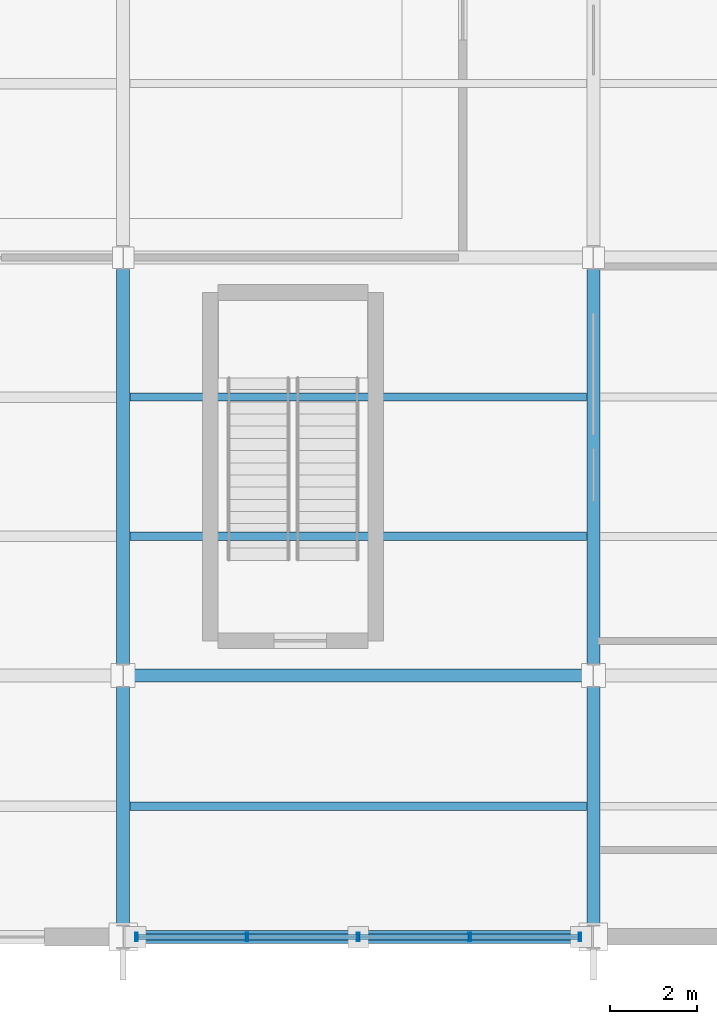
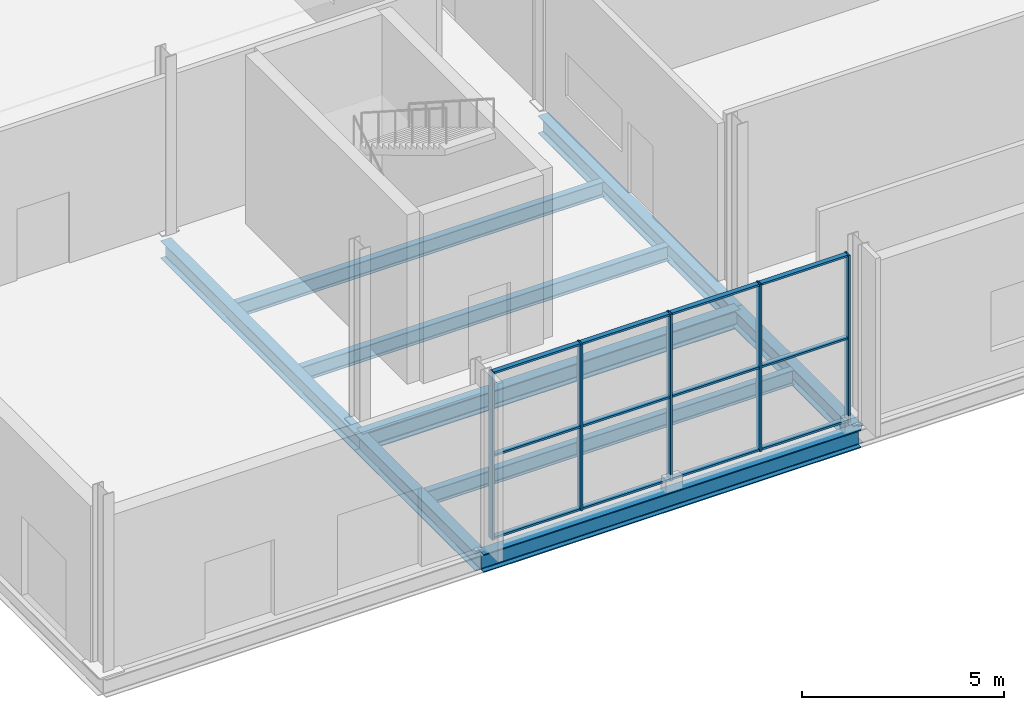
# One storey, part 130 of 196: 17 members, 9 beams, 1 element without a shape of its own.
"""IFC4 building model written with IfcOpenShell, lengths in metres."""

from ifc_helpers import new_model, si_unit, direction, frame, origin, origin_2d, place, context, subcontext, project, spatial, hollow_rectangle, i_section, extrude, material, material_profile, profile_set, type_object, element, aggregate, save


model = new_model("IFC4")

# Units and contexts
model_context = context("Model", 3, precision=1e-05, world=origin(), true_north=direction((0.0, 1.0)))
body_context = subcontext(model_context, "Body", "Model", "MODEL_VIEW")
ifc_project = project(units=[si_unit("LENGTHUNIT", "METRE"), si_unit("AREAUNIT", "SQUARE_METRE"), si_unit("VOLUMEUNIT", "CUBIC_METRE"), si_unit("PLANEANGLEUNIT", "RADIAN"), si_unit("MASSUNIT", "GRAM", prefix="KILO")], contexts=[model_context])

# Site, building, storey
site_placement = place(None, origin())
site = spatial("IfcSite", under=ifc_project, at=site_placement, CompositionType="ELEMENT")
building_placement = place(site_placement, origin())
building = spatial("IfcBuilding", under=site, at=building_placement, Name="Merenkruunu Market Hall", CompositionType="ELEMENT")
storey_placement = place(building_placement, origin())
storey = spatial("IfcBuildingStorey", under=building, at=storey_placement, Name="L00", CompositionType="ELEMENT", Elevation=0.0)

# Curtain wall, members
ifc_material_1 = material(Name="Powder-coated aluminium", Category="aluminium")
curtain_wall_type = type_object("IfcCurtainWallType", Name="Glazed Curtain Wall CW07", PredefinedType="USERDEFINED", material=ifc_material_1)
curtain_wall_placement = place(storey_placement, origin())
curtain_wall = element("IfcCurtainWall", 1, at=curtain_wall_placement, inside=storey, type_object=curtain_wall_type, Name="CW-L00-CWM03-201", ObjectType="GLAZED_FACADE", PredefinedType="USERDEFINED")
ifc_material_profile_1 = material_profile(ifc_material_1, hollow_rectangle(XDim=0.06005859375, YDim=0.199951171875, WallThickness=0.0048828125, at=origin_2d()), Name="ALU 60x200x5")
ifc_profile_set_1 = profile_set([ifc_material_profile_1], Name="Powder-coated aluminium")
member_type_1 = type_object("IfcMemberType", Name="Curtain Wall Mullion CWM03", PredefinedType="MULLION", material=ifc_profile_set_1)
member_1_placement = place(storey_placement, frame((170.090087890625, 0.0, 0.0), z_axis=(0.0, 0.0, 1.0), x_axis=(-1.0, 0.0, 0.0)))
member_1 = element("IfcMember", 2, at=member_1_placement, type_object=member_type_1, Name="CW07 mullion 1", PredefinedType="MULLION", context=body_context, shape_type="SweptSolid", body=[
    extrude(hollow_rectangle(XDim=0.06005859375, YDim=0.199951171875, WallThickness=0.0048828125, at=origin_2d()), origin(), (0.0, 0.0, 1.0), 5.050048828125),
])
member_2_placement = place(storey_placement, frame((167.56005859375, 0.0, 0.0), z_axis=(0.0, 0.0, 1.0), x_axis=(-1.0, 0.0, 0.0)))
member_2 = element("IfcMember", 3, at=member_2_placement, type_object=member_type_1, Name="CW07 mullion 2", PredefinedType="MULLION", context=body_context, shape_type="SweptSolid", body=[
    extrude(hollow_rectangle(XDim=0.06005859375, YDim=0.199951171875, WallThickness=0.0048828125, at=origin_2d()), origin(), (0.0, 0.0, 1.0), 5.050048828125),
])
member_3_placement = place(storey_placement, frame((165.0, 0.0, 0.0), z_axis=(0.0, 0.0, 1.0), x_axis=(-1.0, 0.0, 0.0)))
member_3 = element("IfcMember", 4, at=member_3_placement, type_object=member_type_1, Name="CW07 mullion 3", PredefinedType="MULLION", context=body_context, shape_type="SweptSolid", body=[
    extrude(hollow_rectangle(XDim=0.06005859375, YDim=0.199951171875, WallThickness=0.0048828125, at=origin_2d()), origin(), (0.0, 0.0, 1.0), 5.050048828125),
])
member_4_placement = place(storey_placement, frame((162.43994140625, 0.0, 0.0), z_axis=(0.0, 0.0, 1.0), x_axis=(-1.0, 0.0, 0.0)))
member_4 = element("IfcMember", 5, at=member_4_placement, type_object=member_type_1, Name="CW07 mullion 4", PredefinedType="MULLION", context=body_context, shape_type="SweptSolid", body=[
    extrude(hollow_rectangle(XDim=0.06005859375, YDim=0.199951171875, WallThickness=0.0048828125, at=origin_2d()), origin(), (0.0, 0.0, 1.0), 5.050048828125),
])
member_5_placement = place(storey_placement, frame((159.909912109375, 0.0, 0.0), z_axis=(0.0, 0.0, 1.0), x_axis=(-1.0, 0.0, 0.0)))
member_5 = element("IfcMember", 6, at=member_5_placement, type_object=member_type_1, Name="CW07 mullion 5", PredefinedType="MULLION", context=body_context, shape_type="SweptSolid", body=[
    extrude(hollow_rectangle(XDim=0.06005859375, YDim=0.199951171875, WallThickness=0.0048828125, at=origin_2d()), origin(), (0.0, 0.0, 1.0), 5.050048828125),
])
ifc_material_profile_2 = material_profile(ifc_material_1, hollow_rectangle(XDim=0.06005859375, YDim=0.139892578125, WallThickness=0.00390625, at=origin_2d()), Name="ALU 60x140x4")
ifc_profile_set_2 = profile_set([ifc_material_profile_2], Name="Powder-coated aluminium")
member_type_2 = type_object("IfcMemberType", Name="Curtain Wall Transom CWT02", PredefinedType="USERDEFINED", material=ifc_profile_set_2)
member_6_placement = place(storey_placement, frame((170.06005859375, 0.0, 0.030029296875), z_axis=(-1.0, 0.0, 0.0), x_axis=(0.0, 0.0, 1.0)))
member_6 = element("IfcMember", 7, at=member_6_placement, type_object=member_type_2, Name="CW07 transom 1.1", ObjectType="TRANSOM", PredefinedType="USERDEFINED", context=body_context, shape_type="SweptSolid", body=[
    extrude(hollow_rectangle(XDim=0.06005859375, YDim=0.139892578125, WallThickness=0.00390625, at=origin_2d()), origin(), (0.0, 0.0, 1.0), 2.469970703125),
])
member_7_placement = place(storey_placement, frame((170.06005859375, 0.0, 2.52490234375), z_axis=(-1.0, 0.0, 0.0), x_axis=(0.0, 0.0, 1.0)))
member_7 = element("IfcMember", 8, at=member_7_placement, type_object=member_type_2, Name="CW07 transom 1.2", ObjectType="TRANSOM", PredefinedType="USERDEFINED", context=body_context, shape_type="SweptSolid", body=[
    extrude(hollow_rectangle(XDim=0.06005859375, YDim=0.139892578125, WallThickness=0.00390625, at=origin_2d()), origin(), (0.0, 0.0, 1.0), 2.469970703125),
])
member_8_placement = place(storey_placement, frame((170.06005859375, 0.0, 5.02001953125), z_axis=(-1.0, 0.0, 0.0), x_axis=(0.0, 0.0, 1.0)))
member_8 = element("IfcMember", 9, at=member_8_placement, type_object=member_type_2, Name="CW07 transom 1.3", ObjectType="TRANSOM", PredefinedType="USERDEFINED", context=body_context, shape_type="SweptSolid", body=[
    extrude(hollow_rectangle(XDim=0.06005859375, YDim=0.139892578125, WallThickness=0.00390625, at=origin_2d()), origin(), (0.0, 0.0, 1.0), 2.469970703125),
])
member_9_placement = place(storey_placement, frame((167.530029296875, 0.0, 0.030029296875), z_axis=(-1.0, 0.0, 0.0), x_axis=(0.0, 0.0, 1.0)))
member_9 = element("IfcMember", 10, at=member_9_placement, type_object=member_type_2, Name="CW07 transom 2.1", ObjectType="TRANSOM", PredefinedType="USERDEFINED", context=body_context, shape_type="SweptSolid", body=[
    extrude(hollow_rectangle(XDim=0.06005859375, YDim=0.139892578125, WallThickness=0.00390625, at=origin_2d()), origin(), (0.0, 0.0, 1.0), 2.5),
])
member_10_placement = place(storey_placement, frame((167.530029296875, 0.0, 2.52490234375), z_axis=(-1.0, 0.0, 0.0), x_axis=(0.0, 0.0, 1.0)))
member_10 = element("IfcMember", 11, at=member_10_placement, type_object=member_type_2, Name="CW07 transom 2.2", ObjectType="TRANSOM", PredefinedType="USERDEFINED", context=body_context, shape_type="SweptSolid", body=[
    extrude(hollow_rectangle(XDim=0.06005859375, YDim=0.139892578125, WallThickness=0.00390625, at=origin_2d()), origin(), (0.0, 0.0, 1.0), 2.5),
])
member_11_placement = place(storey_placement, frame((167.530029296875, 0.0, 5.02001953125), z_axis=(-1.0, 0.0, 0.0), x_axis=(0.0, 0.0, 1.0)))
member_11 = element("IfcMember", 12, at=member_11_placement, type_object=member_type_2, Name="CW07 transom 2.3", ObjectType="TRANSOM", PredefinedType="USERDEFINED", context=body_context, shape_type="SweptSolid", body=[
    extrude(hollow_rectangle(XDim=0.06005859375, YDim=0.139892578125, WallThickness=0.00390625, at=origin_2d()), origin(), (0.0, 0.0, 1.0), 2.5),
])
member_12_placement = place(storey_placement, frame((164.969970703125, 0.0, 0.030029296875), z_axis=(-1.0, 0.0, 0.0), x_axis=(0.0, 0.0, 1.0)))
member_12 = element("IfcMember", 13, at=member_12_placement, type_object=member_type_2, Name="CW07 transom 3.1", ObjectType="TRANSOM", PredefinedType="USERDEFINED", context=body_context, shape_type="SweptSolid", body=[
    extrude(hollow_rectangle(XDim=0.06005859375, YDim=0.139892578125, WallThickness=0.00390625, at=origin_2d()), origin(), (0.0, 0.0, 1.0), 2.5),
])
member_13_placement = place(storey_placement, frame((164.969970703125, 0.0, 2.52490234375), z_axis=(-1.0, 0.0, 0.0), x_axis=(0.0, 0.0, 1.0)))
member_13 = element("IfcMember", 14, at=member_13_placement, type_object=member_type_2, Name="CW07 transom 3.2", ObjectType="TRANSOM", PredefinedType="USERDEFINED", context=body_context, shape_type="SweptSolid", body=[
    extrude(hollow_rectangle(XDim=0.06005859375, YDim=0.139892578125, WallThickness=0.00390625, at=origin_2d()), origin(), (0.0, 0.0, 1.0), 2.5),
])
member_14_placement = place(storey_placement, frame((164.969970703125, 0.0, 5.02001953125), z_axis=(-1.0, 0.0, 0.0), x_axis=(0.0, 0.0, 1.0)))
member_14 = element("IfcMember", 15, at=member_14_placement, type_object=member_type_2, Name="CW07 transom 3.3", ObjectType="TRANSOM", PredefinedType="USERDEFINED", context=body_context, shape_type="SweptSolid", body=[
    extrude(hollow_rectangle(XDim=0.06005859375, YDim=0.139892578125, WallThickness=0.00390625, at=origin_2d()), origin(), (0.0, 0.0, 1.0), 2.5),
])
member_15_placement = place(storey_placement, frame((162.409912109375, 0.0, 0.030029296875), z_axis=(-1.0, 0.0, 0.0), x_axis=(0.0, 0.0, 1.0)))
member_15 = element("IfcMember", 16, at=member_15_placement, type_object=member_type_2, Name="CW07 transom 4.1", ObjectType="TRANSOM", PredefinedType="USERDEFINED", context=body_context, shape_type="SweptSolid", body=[
    extrude(hollow_rectangle(XDim=0.06005859375, YDim=0.139892578125, WallThickness=0.00390625, at=origin_2d()), origin(), (0.0, 0.0, 1.0), 2.469970703125),
])
member_16_placement = place(storey_placement, frame((162.409912109375, 0.0, 2.52490234375), z_axis=(-1.0, 0.0, 0.0), x_axis=(0.0, 0.0, 1.0)))
member_16 = element("IfcMember", 17, at=member_16_placement, type_object=member_type_2, Name="CW07 transom 4.2", ObjectType="TRANSOM", PredefinedType="USERDEFINED", context=body_context, shape_type="SweptSolid", body=[
    extrude(hollow_rectangle(XDim=0.06005859375, YDim=0.139892578125, WallThickness=0.00390625, at=origin_2d()), origin(), (0.0, 0.0, 1.0), 2.469970703125),
])
member_17_placement = place(storey_placement, frame((162.409912109375, 0.0, 5.02001953125), z_axis=(-1.0, 0.0, 0.0), x_axis=(0.0, 0.0, 1.0)))
member_17 = element("IfcMember", 18, at=member_17_placement, type_object=member_type_2, Name="CW07 transom 4.3", ObjectType="TRANSOM", PredefinedType="USERDEFINED", context=body_context, shape_type="SweptSolid", body=[
    extrude(hollow_rectangle(XDim=0.06005859375, YDim=0.139892578125, WallThickness=0.00390625, at=origin_2d()), origin(), (0.0, 0.0, 1.0), 2.469970703125),
])
aggregate(curtain_wall, [member_1, member_2, member_3, member_4, member_5, member_6, member_7, member_8, member_9, member_10, member_11, member_12, member_13, member_14, member_15, member_16, member_17])

# Beams
ifc_material_2 = material(Name="Steel S355J2", Category="steel")
ifc_material_profile_3 = material_profile(ifc_material_2, i_section(OverallWidth=0.300048828125, OverallDepth=0.550048828125, WebThickness=0.014892578125, FlangeThickness=0.029052734375, FilletRadius=0.027099609375, at=origin_2d()), Name="HEB 550")
ifc_profile_set_3 = profile_set([ifc_material_profile_3], Name="Steel S355J2")
beam_type_1 = type_object("IfcBeamType", Name="Primary Floor Girder B02", PredefinedType="BEAM", material=ifc_profile_set_3)
for number, where, z_axis, x_axis, name in (
    (19, (159.60009765625, 0.0, -0.574951171875), (1.0, 0.0, 0.0), (0.0, 1.0, 0.0), "BM-L00-B02-0002"),
    (20, (159.60009765625, 6.0, -0.574951171875), (1.0, 0.0, 0.0), (0.0, 1.0, 0.0), "BM-L00-B02-0006"),
):
    element("IfcBeam", number, at=place(storey_placement, frame(where, z_axis=z_axis, x_axis=x_axis)), inside=storey, type_object=beam_type_1, Name=name, PredefinedType="BEAM", context=body_context, shape_type="SweptSolid", body=[
        extrude(i_section(OverallWidth=0.300048828125, OverallDepth=0.550048828125, WebThickness=0.014892578125, FlangeThickness=0.029052734375, FilletRadius=0.027099609375, at=origin_2d()), origin(), (0.0, 0.0, 1.0), 10.7998046875),
    ])
ifc_material_profile_4 = material_profile(ifc_material_2, i_section(OverallWidth=0.300048828125, OverallDepth=0.5400390625, WebThickness=0.012451171875, FlangeThickness=0.02392578125, FilletRadius=0.027099609375, at=origin_2d()), Name="HEA 550")
ifc_profile_set_4 = profile_set([ifc_material_profile_4], Name="Steel S355J2")
beam_type_2 = type_object("IfcBeamType", Name="Primary Floor Girder B06", PredefinedType="BEAM", material=ifc_profile_set_4)
beam_1_placement = place(storey_placement, frame((159.60009765625, 0.0, -0.570068359375), z_axis=(0.0, 1.0, 0.0), x_axis=(-1.0, 0.0, 0.0)))
element("IfcBeam", 21, at=beam_1_placement, inside=storey, type_object=beam_type_2, Name="BM-L00-B06-0246", PredefinedType="BEAM", context=body_context, shape_type="SweptSolid", body=[
    extrude(i_section(OverallWidth=0.300048828125, OverallDepth=0.5400390625, WebThickness=0.012451171875, FlangeThickness=0.02392578125, FilletRadius=0.027099609375, at=origin_2d()), origin(), (0.0, 0.0, 1.0), 6.0),
])
beam_2_placement = place(storey_placement, frame((159.60009765625, 6.0, -0.570068359375), z_axis=(0.0, 1.0, 0.0), x_axis=(-1.0, 0.0, 0.0)))
element("IfcBeam", 22, at=beam_2_placement, inside=storey, type_object=beam_type_2, Name="BM-L00-B06-0247", PredefinedType="BEAM", context=body_context, shape_type="SweptSolid", body=[
    extrude(i_section(OverallWidth=0.300048828125, OverallDepth=0.5400390625, WebThickness=0.012451171875, FlangeThickness=0.02392578125, FilletRadius=0.027099609375, at=origin_2d()), origin(), (0.0, 0.0, 1.0), 9.60009765625),
])
beam_3_placement = place(storey_placement, frame((170.39990234375, 0.0, -0.570068359375), z_axis=(0.0, 1.0, 0.0), x_axis=(-1.0, 0.0, 0.0)))
element("IfcBeam", 23, at=beam_3_placement, inside=storey, type_object=beam_type_2, Name="BM-L00-B06-0253", PredefinedType="BEAM", context=body_context, shape_type="SweptSolid", body=[
    extrude(i_section(OverallWidth=0.300048828125, OverallDepth=0.5400390625, WebThickness=0.012451171875, FlangeThickness=0.02392578125, FilletRadius=0.027099609375, at=origin_2d()), origin(), (0.0, 0.0, 1.0), 6.0),
])
beam_4_placement = place(storey_placement, frame((170.39990234375, 6.0, -0.570068359375), z_axis=(0.0, 1.0, 0.0), x_axis=(-1.0, 0.0, 0.0)))
element("IfcBeam", 24, at=beam_4_placement, inside=storey, type_object=beam_type_2, Name="BM-L00-B06-0254", PredefinedType="BEAM", context=body_context, shape_type="SweptSolid", body=[
    extrude(i_section(OverallWidth=0.300048828125, OverallDepth=0.5400390625, WebThickness=0.012451171875, FlangeThickness=0.02392578125, FilletRadius=0.027099609375, at=origin_2d()), origin(), (0.0, 0.0, 1.0), 9.60009765625),
])
ifc_material_profile_5 = material_profile(ifc_material_2, i_section(OverallWidth=0.18994140625, OverallDepth=0.449951171875, WebThickness=0.009521484375, FlangeThickness=0.0146484375, FilletRadius=0.02099609375, at=origin_2d()), Name="IPE 450")
ifc_profile_set_5 = profile_set([ifc_material_profile_5], Name="Steel S355J2")
beam_type_3 = type_object("IfcBeamType", Name="Secondary Floor Joist J01", PredefinedType="JOIST", material=ifc_profile_set_5)
for number, where, z_axis, x_axis, name in (
    (25, (159.7529296875, 3.0, -0.52490234375), (1.0, 0.0, 0.0), (0.0, 1.0, 0.0), "BM-L00-J01-0433"),
    (26, (159.7529296875, 9.199951171875, -0.52490234375), (1.0, 0.0, 0.0), (0.0, 1.0, 0.0), "BM-L00-J01-0434"),
    (27, (159.7529296875, 12.39990234375, -0.52490234375), (1.0, 0.0, 0.0), (0.0, 1.0, 0.0), "BM-L00-J01-0435"),
):
    element("IfcBeam", number, at=place(storey_placement, frame(where, z_axis=z_axis, x_axis=x_axis)), inside=storey, type_object=beam_type_3, Name=name, PredefinedType="JOIST", context=body_context, shape_type="SweptSolid", body=[
        extrude(i_section(OverallWidth=0.18994140625, OverallDepth=0.449951171875, WebThickness=0.009521484375, FlangeThickness=0.0146484375, FilletRadius=0.02099609375, at=origin_2d()), origin(), (0.0, 0.0, 1.0), 10.494140625),
    ])

save(model, "model.ifc")
